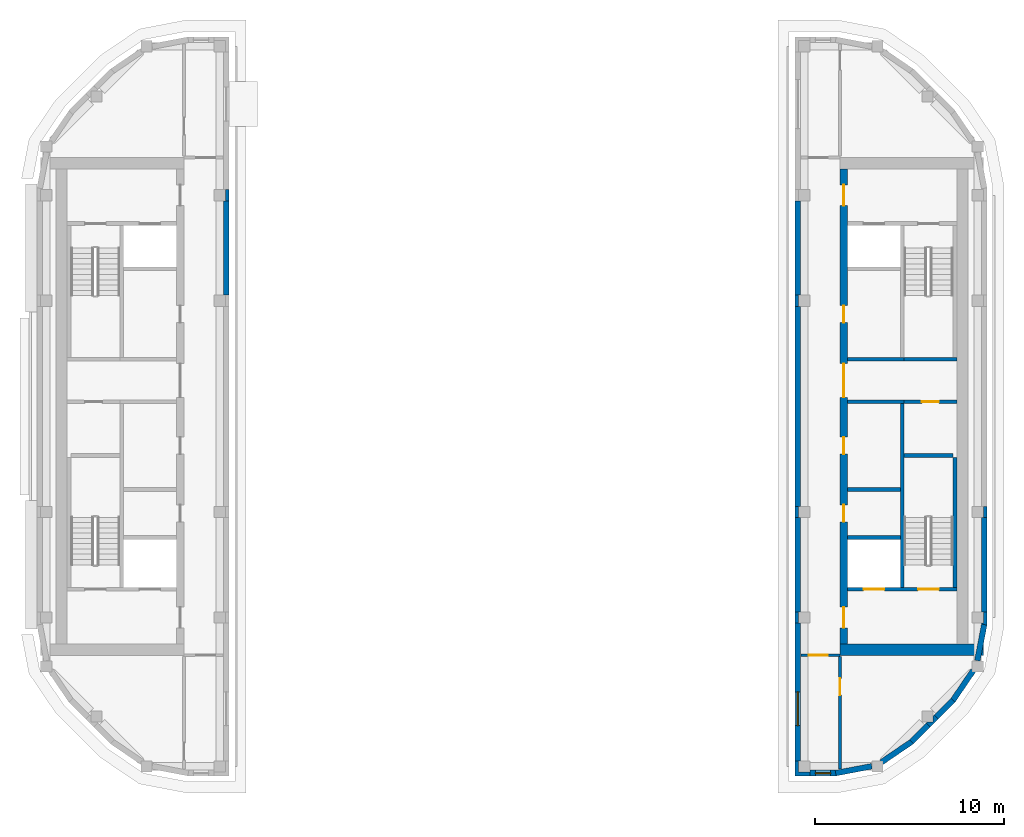
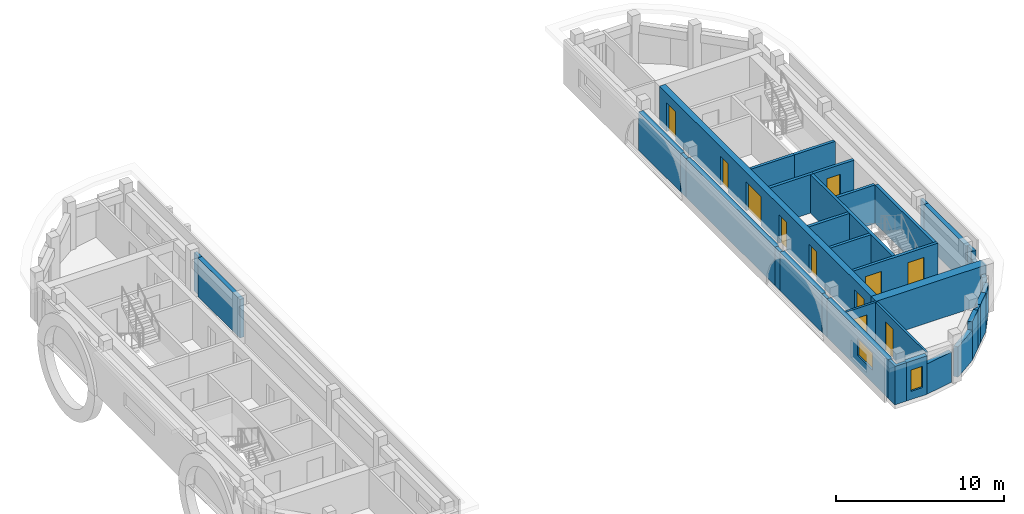
# One storey, part 3 of 12: 35 walls, 11 doors, 2 windows, 13 openings.
"""IFC4 building model written with IfcOpenShell, lengths in metres."""

from ifc_helpers import new_model, si_unit, direction, frame, frame_2d, origin, place, context, subcontext, project, spatial, polyline, rectangle, outline, extrude, material, layer, layer_set, type_object, element, fill, save


model = new_model("IFC4")

# Units and contexts
model_context = context("Model", 3, precision=1e-05, world=origin(), true_north=direction((0.0, 1.0)))
body_context = subcontext(model_context, "Body", "Model", "MODEL_VIEW")
ifc_project = project(units=[si_unit("LENGTHUNIT", "METRE"), si_unit("AREAUNIT", "SQUARE_METRE"), si_unit("VOLUMEUNIT", "CUBIC_METRE"), si_unit("PLANEANGLEUNIT", "RADIAN"), si_unit("MASSUNIT", "GRAM", prefix="KILO")], contexts=[model_context])

# Site, building, storey
site_placement = place(None, origin())
site = spatial("IfcSite", under=ifc_project, at=site_placement, CompositionType="ELEMENT")
building_placement = place(site_placement, origin())
building = spatial("IfcBuilding", under=site, at=building_placement, Name="Kiln Ring Residences", CompositionType="ELEMENT")
storey_placement = place(building_placement, frame((0.0, 0.0, 310.39990234375)))
storey = spatial("IfcBuildingStorey", under=building, at=storey_placement, Name="L80 Crown", CompositionType="ELEMENT", Elevation=310.39990234375)

# Wall, opening, door
ifc_material_1 = material(Name="Gypsum board on steel studs", Category="steel")
ifc_layer_1 = layer(ifc_material_1, 0.199951171875)
ifc_layer_set_1 = layer_set([ifc_layer_1], Name="CORE-PARTITION-200")
wall_type_1 = type_object("IfcWallType", Name="CORE-PARTITION-200", PredefinedType="PARTITIONING", material=ifc_layer_set_1)
wall_1_placement = place(storey_placement, frame((20.800048828125, 0.25, 0.0), z_axis=(0.0, 0.0, 1.0), x_axis=(1.0, 0.0, 0.0)))
wall_1 = element("IfcWall", 1, at=wall_1_placement, inside=storey, type_object=wall_type_1, Name="Core partition east L80 Crown 1", PredefinedType="PARTITIONING", context=body_context, shape_type="SweptSolid", body=[
    extrude(rectangle(XDim=2.800048828125, YDim=0.199951171875, at=frame_2d((1.39990234375, 0.0))), origin(), (0.0, 0.0, 1.0), 2.800048828125),
])
opening_1_placement = place(wall_1_placement, frame((0.949951171875, 0.0, 0.0)))
opening_1 = element("IfcOpeningElement", 2, at=opening_1_placement, cuts=wall_1, Name="Opening L80-CE11", PredefinedType="OPENING", context=body_context, shape_type="SweptSolid", body=[
    extrude(rectangle(XDim=0.89990234375, YDim=2.10009765625, at=frame_2d((0.449951171875, 1.050048828125))), frame((0.0, 0.10986328125, 0.0), z_axis=(0.0, -1.0, 0.0), x_axis=(1.0, 0.0, 0.0)), (0.0, 0.0, 1.0), 0.219970703125),
])
ifc_material_2 = material(Name="Steel door leaf", Category="steel")
door_type_1 = type_object("IfcDoorType", Name="CORE-DOOR-ROOM", OperationType="SINGLE_SWING_LEFT", PredefinedType="DOOR", material=ifc_material_2)
door_1_placement = place(opening_1_placement, origin())
door_1 = element("IfcDoor", 3, at=door_1_placement, inside=storey, type_object=door_type_1, Name="Electrical riser room L80-CE11", OperationType="SINGLE_SWING_RIGHT", OverallHeight=2.10009765625, OverallWidth=0.89990234375, PredefinedType="DOOR", context=body_context, shape_type="SweptSolid", body=[
    extrude(rectangle(XDim=0.89990234375, YDim=2.10009765625, at=frame_2d((0.449951171875, 1.050048828125))), frame((0.0, 0.02490234375, 0.0), z_axis=(0.0, -1.0, 0.0), x_axis=(1.0, 0.0, 0.0)), (0.0, 0.0, 1.0), 0.050048828125),
])
fill(opening_1, door_1)

# Walls
wall_2_placement = place(storey_placement, frame((17.800048828125, -4.39990234375, 0.0), z_axis=(0.0, 0.0, 1.0), x_axis=(1.0, 0.0, 0.0)))
element("IfcWall", 4, at=wall_2_placement, inside=storey, type_object=wall_type_1, Name="Core partition east L80 Crown 2", PredefinedType="PARTITIONING", context=body_context, shape_type="SweptSolid", body=[
    extrude(rectangle(XDim=2.800048828125, YDim=0.199951171875, at=frame_2d((1.39990234375, 0.0))), origin(), (0.0, 0.0, 1.0), 2.800048828125),
])
ifc_material_3 = material(Name="Gypsum shaft wall system")
ifc_layer_2 = layer(ifc_material_3, 0.199951171875)
ifc_layer_set_2 = layer_set([ifc_layer_2], Name="CORE-SHAFT-WALL-200")
wall_type_2 = type_object("IfcWallType", Name="CORE-SHAFT-WALL-200", PredefinedType="PARTITIONING", material=ifc_layer_set_2)
wall_3_placement = place(storey_placement, frame((17.800048828125, -6.949951171875, 0.0), z_axis=(0.0, 0.0, 1.0), x_axis=(1.0, 0.0, 0.0)))
element("IfcWall", 5, at=wall_3_placement, inside=storey, type_object=wall_type_2, Name="Core partition east L80 Crown 3", PredefinedType="PARTITIONING", context=body_context, shape_type="SweptSolid", body=[
    extrude(rectangle(XDim=2.800048828125, YDim=0.199951171875, at=frame_2d((1.39990234375, 0.0))), origin(), (0.0, 0.0, 1.0), 2.800048828125),
])
for number, where, z_axis, x_axis, name in (
    (6, (17.800048828125, 0.25, 0.0), (0.0, 0.0, 1.0), (1.0, 0.0, 0.0), "Core partition east L80 Crown 4"),
    (7, (17.800048828125, 2.5, 0.0), (0.0, 0.0, 1.0), (1.0, 0.0, 0.0), "Core partition east L80 Crown 5"),
):
    element("IfcWall", number, at=place(storey_placement, frame(where, z_axis=z_axis, x_axis=x_axis)), inside=storey, type_object=wall_type_2, Name=name, PredefinedType="PARTITIONING", context=body_context, shape_type="SweptSolid", body=[
        extrude(rectangle(XDim=3.0, YDim=0.199951171875, at=frame_2d((1.5, 0.0))), origin(), (0.0, 0.0, 1.0), 2.800048828125),
    ])
ifc_material_4 = material(Name="Concrete C40/50", Category="concrete")
ifc_layer_3 = layer(ifc_material_4, 0.199951171875)
ifc_layer_set_3 = layer_set([ifc_layer_3], Name="CORE-WALL-RC200")
wall_type_3 = type_object("IfcWallType", Name="CORE-WALL-RC200", PredefinedType="SHEAR", material=ifc_layer_set_3)
wall_4_placement = place(storey_placement, frame((20.699951171875, -9.60009765625, 0.0), z_axis=(0.0, 0.0, 1.0), x_axis=(0.0, 1.0, 0.0)))
element("IfcWall", 8, at=wall_4_placement, inside=storey, type_object=wall_type_3, Name="Core wall east L80 Crown 2", PredefinedType="SHEAR", context=body_context, shape_type="SweptSolid", body=[
    extrude(rectangle(XDim=9.75, YDim=0.199951171875, at=frame_2d((4.875, 0.0))), origin(), (0.0, 0.0, 1.0), 2.800048828125),
])
wall_5_placement = place(storey_placement, frame((20.800048828125, 2.5, 0.0), z_axis=(0.0, 0.0, 1.0), x_axis=(1.0, 0.0, 0.0)))
element("IfcWall", 9, at=wall_5_placement, inside=storey, type_object=wall_type_3, Name="Core wall east L80 Crown 3", PredefinedType="SHEAR", context=body_context, shape_type="SweptSolid", body=[
    extrude(rectangle(XDim=2.800048828125, YDim=0.199951171875, at=frame_2d((1.39990234375, 0.0))), origin(), (0.0, 0.0, 1.0), 2.800048828125),
])

# Wall, openings, doors
wall_6_placement = place(storey_placement, frame((17.800048828125, -9.699951171875, 0.0), z_axis=(0.0, 0.0, 1.0), x_axis=(1.0, 0.0, 0.0)))
wall_6 = element("IfcWall", 10, at=wall_6_placement, inside=storey, type_object=wall_type_3, Name="Core wall east L80 Crown 8", PredefinedType="SHEAR", context=body_context, shape_type="SweptSolid", body=[
    extrude(rectangle(XDim=5.800048828125, YDim=0.199951171875, at=frame_2d((2.89990234375, 0.0))), origin(), (0.0, 0.0, 1.0), 2.800048828125),
])
opening_2_placement = place(wall_6_placement, frame((0.85009765625, 0.0, 0.0)))
opening_2 = element("IfcOpeningElement", 11, at=opening_2_placement, cuts=wall_6, Name="Opening L80-CE01", PredefinedType="OPENING", context=body_context, shape_type="SweptSolid", body=[
    extrude(rectangle(XDim=1.10009765625, YDim=2.10009765625, at=frame_2d((0.550048828125, 1.050048828125))), frame((0.0, 0.10986328125, 0.0), z_axis=(0.0, -1.0, 0.0), x_axis=(1.0, 0.0, 0.0)), (0.0, 0.0, 1.0), 0.219970703125),
])
opening_3_placement = place(wall_6_placement, frame((3.75, 0.0, 0.0)))
opening_3 = element("IfcOpeningElement", 12, at=opening_3_placement, cuts=wall_6, Name="Opening L80-CE09", PredefinedType="OPENING", context=body_context, shape_type="SweptSolid", body=[
    extrude(rectangle(XDim=1.10009765625, YDim=2.10009765625, at=frame_2d((0.550048828125, 1.050048828125))), frame((0.0, 0.10986328125, 0.0), z_axis=(0.0, -1.0, 0.0), x_axis=(1.0, 0.0, 0.0)), (0.0, 0.0, 1.0), 0.219970703125),
])
ifc_material_5 = material(Name="Steel door leaf", Category="steel")
door_type_2 = type_object("IfcDoorType", Name="CORE-DOOR-LD", OperationType="DOUBLE_DOOR_SLIDING", PredefinedType="DOOR", material=ifc_material_5)
door_2_placement = place(opening_2_placement, origin())
door_2 = element("IfcDoor", 13, at=door_2_placement, inside=storey, type_object=door_type_2, Name="LD E-SV L80-CE01", OperationType="DOUBLE_DOOR_SLIDING", OverallHeight=2.10009765625, OverallWidth=1.10009765625, PredefinedType="DOOR", context=body_context, shape_type="SweptSolid", body=[
    extrude(rectangle(XDim=1.10009765625, YDim=2.10009765625, at=frame_2d((0.550048828125, 1.050048828125))), frame((0.0, 0.02490234375, 0.0), z_axis=(0.0, -1.0, 0.0), x_axis=(1.0, 0.0, 0.0)), (0.0, 0.0, 1.0), 0.050048828125),
])
fill(opening_2, door_2)
ifc_material_6 = material(Name="Steel door leaf", Category="steel")
door_type_3 = type_object("IfcDoorType", Name="CORE-DOOR-STAIR", OperationType="SINGLE_SWING_LEFT", PredefinedType="DOOR", material=ifc_material_6)
door_3_placement = place(opening_3_placement, origin())
door_3 = element("IfcDoor", 14, at=door_3_placement, inside=storey, type_object=door_type_3, Name="Stair E-STS L80-CE09", OperationType="SINGLE_SWING_LEFT", OverallHeight=2.10009765625, OverallWidth=1.10009765625, PredefinedType="DOOR", context=body_context, shape_type="SweptSolid", body=[
    extrude(rectangle(XDim=1.10009765625, YDim=2.10009765625, at=frame_2d((0.550048828125, 1.050048828125))), frame((0.0, 0.02490234375, 0.0), z_axis=(0.0, -1.0, 0.0), x_axis=(1.0, 0.0, 0.0)), (0.0, 0.0, 1.0), 0.050048828125),
])
fill(opening_3, door_3)

# Walls
wall_7_placement = place(storey_placement, frame((23.5, -9.60009765625, 0.0), z_axis=(0.0, 0.0, 1.0), x_axis=(0.0, 1.0, 0.0)))
element("IfcWall", 15, at=wall_7_placement, inside=storey, type_object=wall_type_3, Name="Core wall east L80 Crown 11", PredefinedType="SHEAR", context=body_context, shape_type="SweptSolid", body=[
    extrude(rectangle(XDim=6.900146484375, YDim=0.199951171875, at=frame_2d((3.4501953125, 0.0))), origin(), (0.0, 0.0, 1.0), 2.800048828125),
])
wall_8_placement = place(storey_placement, frame((20.800048828125, -2.60009765625, 0.0), z_axis=(0.0, 0.0, 1.0), x_axis=(1.0, 0.0, 0.0)))
element("IfcWall", 16, at=wall_8_placement, inside=storey, type_object=wall_type_3, Name="Core wall east L80 Crown 12", PredefinedType="SHEAR", context=body_context, shape_type="SweptSolid", body=[
    extrude(rectangle(XDim=2.599853515625, YDim=0.199951171875, at=frame_2d((1.2998046875, 0.0))), origin(), (0.0, 0.0, 1.0), 2.800048828125),
])

# Wall, openings, doors
ifc_material_7 = material(Name="Concrete C60/75", Category="concrete")
ifc_layer_4 = layer(ifc_material_7, 0.39990234375)
ifc_layer_set_4 = layer_set([ifc_layer_4], Name="CORE-WALL-RC400")
wall_type_4 = type_object("IfcWallType", Name="CORE-WALL-RC400", PredefinedType="SHEAR", material=ifc_layer_set_4)
wall_9_placement = place(storey_placement, frame((17.60009765625, -12.60009765625, 0.0), z_axis=(0.0, 0.0, 1.0), x_axis=(0.0, 1.0, 0.0)))
wall_9 = element("IfcWall", 17, at=wall_9_placement, inside=storey, type_object=wall_type_4, Name="Core wall east L80 Crown 6", PredefinedType="SHEAR", context=body_context, shape_type="SweptSolid", body=[
    extrude(rectangle(XDim=25.2001953125, YDim=0.39990234375, at=frame_2d((12.60009765625, 0.0))), origin(), (0.0, 0.0, 1.0), 2.800048828125),
])
opening_4_placement = place(wall_9_placement, frame((6.47509765625, 0.0, 0.0)))
opening_4 = element("IfcOpeningElement", 18, at=opening_4_placement, cuts=wall_9, Name="Opening L80-CE02", PredefinedType="OPENING", context=body_context, shape_type="SweptSolid", body=[
    extrude(rectangle(XDim=0.89990234375, YDim=2.10009765625, at=frame_2d((0.449951171875, 1.050048828125))), frame((0.0, 0.2099609375, 0.0), z_axis=(0.0, -1.0, 0.0), x_axis=(1.0, 0.0, 0.0)), (0.0, 0.0, 1.0), 0.419921875),
])
opening_5_placement = place(wall_9_placement, frame((10.074951171875, 0.0, 0.0)))
opening_5 = element("IfcOpeningElement", 19, at=opening_5_placement, cuts=wall_9, Name="Opening L80-CE03", PredefinedType="OPENING", context=body_context, shape_type="SweptSolid", body=[
    extrude(rectangle(XDim=0.89990234375, YDim=2.10009765625, at=frame_2d((0.449951171875, 1.050048828125))), frame((0.0, 0.2099609375, 0.0), z_axis=(0.0, -1.0, 0.0), x_axis=(1.0, 0.0, 0.0)), (0.0, 0.0, 1.0), 0.419921875),
])
opening_6_placement = place(wall_9_placement, frame((17.050048828125, 0.0, 0.0)))
opening_6 = element("IfcOpeningElement", 20, at=opening_6_placement, cuts=wall_9, Name="Opening L80-CE04", PredefinedType="OPENING", context=body_context, shape_type="SweptSolid", body=[
    extrude(rectangle(XDim=0.89990234375, YDim=2.10009765625, at=frame_2d((0.449951171875, 1.050048828125))), frame((0.0, 0.2099609375, 0.0), z_axis=(0.0, -1.0, 0.0), x_axis=(1.0, 0.0, 0.0)), (0.0, 0.0, 1.0), 0.419921875),
])
opening_7_placement = place(wall_9_placement, frame((23.25, 0.0, 0.0)))
opening_7 = element("IfcOpeningElement", 21, at=opening_7_placement, cuts=wall_9, Name="Opening L80-CE06", PredefinedType="OPENING", context=body_context, shape_type="SweptSolid", body=[
    extrude(rectangle(XDim=1.10009765625, YDim=2.10009765625, at=frame_2d((0.550048828125, 1.050048828125))), frame((0.0, 0.2099609375, 0.0), z_axis=(0.0, -1.0, 0.0), x_axis=(1.0, 0.0, 0.0)), (0.0, 0.0, 1.0), 0.419921875),
])
opening_8_placement = place(wall_9_placement, frame((0.85009765625, 0.0, 0.0)))
opening_8 = element("IfcOpeningElement", 22, at=opening_8_placement, cuts=wall_9, Name="Opening L80-CE07", PredefinedType="OPENING", context=body_context, shape_type="SweptSolid", body=[
    extrude(rectangle(XDim=1.10009765625, YDim=2.10009765625, at=frame_2d((0.550048828125, 1.050048828125))), frame((0.0, 0.2099609375, 0.0), z_axis=(0.0, -1.0, 0.0), x_axis=(1.0, 0.0, 0.0)), (0.0, 0.0, 1.0), 0.419921875),
])
opening_9_placement = place(wall_9_placement, frame((13.074951171875, 0.0, 0.0)))
opening_9 = element("IfcOpeningElement", 23, at=opening_9_placement, cuts=wall_9, Name="Opening L80-CE10", PredefinedType="OPENING", context=body_context, shape_type="SweptSolid", body=[
    extrude(rectangle(XDim=1.800048828125, YDim=2.10009765625, at=frame_2d((0.89990234375, 1.050048828125))), frame((0.0, 0.2099609375, 0.0), z_axis=(0.0, -1.0, 0.0), x_axis=(1.0, 0.0, 0.0)), (0.0, 0.0, 1.0), 0.419921875),
])
ifc_material_8 = material(Name="Steel door leaf", Category="steel")
door_type_4 = type_object("IfcDoorType", Name="CORE-DOOR-LOBBY", OperationType="SINGLE_SWING_LEFT", PredefinedType="DOOR", material=ifc_material_8)
door_4_placement = place(opening_7_placement, origin())
door_4 = element("IfcDoor", 24, at=door_4_placement, inside=storey, type_object=door_type_4, Name="FFL L80-CE06", OperationType="SINGLE_SWING_RIGHT", OverallHeight=2.10009765625, OverallWidth=1.10009765625, PredefinedType="DOOR", context=body_context, shape_type="SweptSolid", body=[
    extrude(rectangle(XDim=1.10009765625, YDim=2.10009765625, at=frame_2d((0.550048828125, 1.050048828125))), frame((0.0, 0.02490234375, 0.0), z_axis=(0.0, -1.0, 0.0), x_axis=(1.0, 0.0, 0.0)), (0.0, 0.0, 1.0), 0.050048828125),
])
fill(opening_7, door_4)
door_5_placement = place(opening_8_placement, origin())
door_5 = element("IfcDoor", 25, at=door_5_placement, inside=storey, type_object=door_type_4, Name="SVL L80-CE07", OperationType="SINGLE_SWING_LEFT", OverallHeight=2.10009765625, OverallWidth=1.10009765625, PredefinedType="DOOR", context=body_context, shape_type="SweptSolid", body=[
    extrude(rectangle(XDim=1.10009765625, YDim=2.10009765625, at=frame_2d((0.550048828125, 1.050048828125))), frame((0.0, 0.02490234375, 0.0), z_axis=(0.0, -1.0, 0.0), x_axis=(1.0, 0.0, 0.0)), (0.0, 0.0, 1.0), 0.050048828125),
])
fill(opening_8, door_5)
ifc_material_9 = material(Name="Steel door leaf", Category="steel")
door_type_5 = type_object("IfcDoorType", Name="CORE-DOOR-PASS", OperationType="DOUBLE_DOOR_SINGLE_SWING", PredefinedType="DOOR", material=ifc_material_9)
door_6_placement = place(opening_9_placement, origin())
door_6 = element("IfcDoor", 26, at=door_6_placement, inside=storey, type_object=door_type_5, Name="Core passage L80-CE10", OperationType="DOUBLE_DOOR_SINGLE_SWING", OverallHeight=2.10009765625, OverallWidth=1.800048828125, PredefinedType="DOOR", context=body_context, shape_type="SweptSolid", body=[
    extrude(rectangle(XDim=1.800048828125, YDim=2.10009765625, at=frame_2d((0.89990234375, 1.050048828125))), frame((0.0, 0.02490234375, 0.0), z_axis=(0.0, -1.0, 0.0), x_axis=(1.0, 0.0, 0.0)), (0.0, 0.0, 1.0), 0.050048828125),
])
fill(opening_9, door_6)
door_7_placement = place(opening_4_placement, origin())
door_7 = element("IfcDoor", 27, at=door_7_placement, inside=storey, type_object=door_type_1, Name="Goods store L80-CE02", OperationType="SINGLE_SWING_LEFT", OverallHeight=2.10009765625, OverallWidth=0.89990234375, PredefinedType="DOOR", context=body_context, shape_type="SweptSolid", body=[
    extrude(rectangle(XDim=0.89990234375, YDim=2.10009765625, at=frame_2d((0.449951171875, 1.050048828125))), frame((0.0, 0.02490234375, 0.0), z_axis=(0.0, -1.0, 0.0), x_axis=(1.0, 0.0, 0.0)), (0.0, 0.0, 1.0), 0.050048828125),
])
fill(opening_4, door_7)
door_8_placement = place(opening_5_placement, origin())
door_8 = element("IfcDoor", 28, at=door_8_placement, inside=storey, type_object=door_type_1, Name="Storage room L80-CE03", OperationType="SINGLE_SWING_RIGHT", OverallHeight=2.10009765625, OverallWidth=0.89990234375, PredefinedType="DOOR", context=body_context, shape_type="SweptSolid", body=[
    extrude(rectangle(XDim=0.89990234375, YDim=2.10009765625, at=frame_2d((0.449951171875, 1.050048828125))), frame((0.0, 0.02490234375, 0.0), z_axis=(0.0, -1.0, 0.0), x_axis=(1.0, 0.0, 0.0)), (0.0, 0.0, 1.0), 0.050048828125),
])
fill(opening_5, door_8)
door_9_placement = place(opening_6_placement, origin())
door_9 = element("IfcDoor", 29, at=door_9_placement, inside=storey, type_object=door_type_1, Name="Housekeeping store L80-CE04", OperationType="SINGLE_SWING_LEFT", OverallHeight=2.10009765625, OverallWidth=0.89990234375, PredefinedType="DOOR", context=body_context, shape_type="SweptSolid", body=[
    extrude(rectangle(XDim=0.89990234375, YDim=2.10009765625, at=frame_2d((0.449951171875, 1.050048828125))), frame((0.0, 0.02490234375, 0.0), z_axis=(0.0, -1.0, 0.0), x_axis=(1.0, 0.0, 0.0)), (0.0, 0.0, 1.0), 0.050048828125),
])
fill(opening_6, door_9)

# Walls
ifc_material_10 = material(Name="Concrete C60/75", Category="concrete")
ifc_layer_5 = layer(ifc_material_10, 0.60009765625)
ifc_layer_set_5 = layer_set([ifc_layer_5], Name="CORE-WALL-RC600")
wall_type_5 = type_object("IfcWallType", Name="CORE-WALL-RC600", PredefinedType="SHEAR", material=ifc_layer_set_5)
wall_10_placement = place(storey_placement, frame((17.39990234375, -12.89990234375, 0.0), z_axis=(0.0, 0.0, 1.0), x_axis=(1.0, 0.0, 0.0)))
element("IfcWall", 30, at=wall_10_placement, inside=storey, type_object=wall_type_5, Name="Core wall east L80 Crown 5", PredefinedType="SHEAR", context=body_context, shape_type="SweptSolid", body=[
    extrude(rectangle(XDim=7.60009765625, YDim=0.60009765625, at=frame_2d((3.800048828125, 0.0))), origin(), (0.0, 0.0, 1.0), 2.800048828125),
])
ifc_material_11 = material(Name="Brick masonry, dark clay brick", Category="masonry")
ifc_layer_6 = layer(ifc_material_11, 0.300048828125)
ifc_layer_set_6 = layer_set([ifc_layer_6], Name="EW-300 BRICK WALL")
wall_type_6 = type_object("IfcWallType", Name="EW-300 BRICK WALL", PredefinedType="SOLIDWALL", material=ifc_layer_set_6)
for number, where, z_axis, x_axis, name in (
    (31, (-15.14990234375, 5.89990234375, 0.0), (0.0, 0.0, 1.0), (0.0, 1.0, 0.0), "Facade wall L80 Crown 7"),
    (32, (15.14990234375, 10.89990234375, 0.0), (0.0, 0.0, 1.0), (0.0, -1.0, 0.0), "Facade wall L80 Crown 24"),
):
    element("IfcWall", number, at=place(storey_placement, frame(where, z_axis=z_axis, x_axis=x_axis)), inside=storey, type_object=wall_type_6, Name=name, PredefinedType="SOLIDWALL", context=body_context, shape_type="SweptSolid", body=[
        extrude(rectangle(XDim=5.0, YDim=0.300048828125, at=frame_2d((2.5, 0.0))), origin(), (0.0, 0.0, 1.0), 2.800048828125),
    ])
wall_11_placement = place(storey_placement, frame((15.14990234375, 5.300048828125, 0.0), z_axis=(0.0, 0.0, 1.0), x_axis=(0.0, -1.0, 0.0)))
element("IfcWall", 33, at=wall_11_placement, inside=storey, type_object=wall_type_6, Name="Facade wall L80 Crown 25", PredefinedType="SOLIDWALL", context=body_context, shape_type="SweptSolid", body=[
    extrude(rectangle(XDim=10.60009765625, YDim=0.300048828125, at=frame_2d((5.300048828125, 0.0))), origin(), (0.0, 0.0, 1.0), 2.800048828125),
])
wall_12_placement = place(storey_placement, frame((15.14990234375, -5.89990234375, 0.0), z_axis=(0.0, 0.0, 1.0), x_axis=(0.0, -1.0, 0.0)))
element("IfcWall", 34, at=wall_12_placement, inside=storey, type_object=wall_type_6, Name="Facade wall L80 Crown 26", PredefinedType="SOLIDWALL", context=body_context, shape_type="SweptSolid", body=[
    extrude(rectangle(XDim=5.0, YDim=0.300048828125, at=frame_2d((2.5, 0.0))), origin(), (0.0, 0.0, 1.0), 2.800048828125),
])

# Wall, opening, window
wall_13_placement = place(storey_placement, frame((15.14990234375, -11.5, 0.0), z_axis=(0.0, 0.0, 1.0), x_axis=(0.0, -1.0, 0.0)))
wall_13 = element("IfcWall", 35, at=wall_13_placement, inside=storey, type_object=wall_type_6, Name="Facade wall L80 Crown 27", PredefinedType="SOLIDWALL", context=body_context, shape_type="SweptSolid", body=[
    extrude(rectangle(XDim=7.300048828125, YDim=0.300048828125, at=frame_2d((3.64990234375, 0.0))), origin(), (0.0, 0.0, 1.0), 2.800048828125),
])
opening_10_placement = place(wall_13_placement, frame((3.637451171875, 0.0, 0.89990234375)))
opening_10 = element("IfcOpeningElement", 36, at=opening_10_placement, cuts=wall_13, Name="Opening W2", PredefinedType="OPENING", context=body_context, shape_type="SweptSolid", body=[
    extrude(rectangle(XDim=1.800048828125, YDim=1.25, at=frame_2d((0.89990234375, 0.625))), frame((0.0, 0.159912109375, 0.0), z_axis=(0.0, -1.0, 0.0), x_axis=(1.0, 0.0, 0.0)), (0.0, 0.0, 1.0), 0.320068359375),
])
ifc_material_12 = material(Name="Aluminium frame with double glazing", Category="aluminium")
window_type_1 = type_object("IfcWindowType", Name="WINDOW 1800 x 1250", PartitioningType="SINGLE_PANEL", PredefinedType="WINDOW", material=ifc_material_12)
window_1_placement = place(opening_10_placement, origin())
window_1 = element("IfcWindow", 37, at=window_1_placement, inside=storey, type_object=window_type_1, Name="Window L80 Crown 6", OverallHeight=1.25, OverallWidth=1.800048828125, PartitioningType="SINGLE_PANEL", PredefinedType="WINDOW", context=body_context, shape_type="SweptSolid", body=[
    extrude(rectangle(XDim=1.800048828125, YDim=1.25, at=frame_2d((0.89990234375, 0.625))), frame((0.0, 0.030029296875, 0.0), z_axis=(0.0, -1.0, 0.0), x_axis=(1.0, 0.0, 0.0)), (0.0, 0.0, 1.0), 0.06005859375),
])
fill(opening_10, window_1)

wall_14_placement = place(storey_placement, frame((15.800048828125, -19.449951171875, 0.0), z_axis=(0.0, 0.0, 1.0), x_axis=(1.0, 0.0, 0.0)))
wall_14 = element("IfcWall", 38, at=wall_14_placement, inside=storey, type_object=wall_type_6, Name="Facade wall L80 Crown 28", PredefinedType="SOLIDWALL", context=body_context, shape_type="SweptSolid", body=[
    extrude(rectangle(XDim=1.39990234375, YDim=0.300048828125, at=frame_2d((0.699951171875, 0.0))), origin(), (0.0, 0.0, 1.0), 2.800048828125),
])
opening_11_placement = place(wall_14_placement, frame((0.300048828125, 0.0, 0.60009765625)))
opening_11 = element("IfcOpeningElement", 39, at=opening_11_placement, cuts=wall_14, Name="Opening W5", PredefinedType="OPENING", context=body_context, shape_type="SweptSolid", body=[
    extrude(rectangle(XDim=0.800048828125, YDim=1.550048828125, at=frame_2d((0.39990234375, 0.77490234375))), frame((0.0, 0.159912109375, 0.0), z_axis=(0.0, -1.0, 0.0), x_axis=(1.0, 0.0, 0.0)), (0.0, 0.0, 1.0), 0.320068359375),
])
ifc_material_13 = material(Name="Aluminium frame with double glazing", Category="aluminium")
window_type_2 = type_object("IfcWindowType", Name="WINDOW 800 x 1550", PartitioningType="SINGLE_PANEL", PredefinedType="WINDOW", material=ifc_material_13)
window_2_placement = place(opening_11_placement, origin())
window_2 = element("IfcWindow", 40, at=window_2_placement, inside=storey, type_object=window_type_2, Name="Window L80 Crown 7", OverallHeight=1.550048828125, OverallWidth=0.800048828125, PartitioningType="SINGLE_PANEL", PredefinedType="WINDOW", context=body_context, shape_type="SweptSolid", body=[
    extrude(rectangle(XDim=0.800048828125, YDim=1.550048828125, at=frame_2d((0.39990234375, 0.77490234375))), frame((0.0, 0.030029296875, 0.0), z_axis=(0.0, -1.0, 0.0), x_axis=(1.0, 0.0, 0.0)), (0.0, 0.0, 1.0), 0.06005859375),
])
fill(opening_11, window_2)

# Walls
for number, where, z_axis, x_axis, name in (
    (41, (17.171875, -19.45263671875, 0.0), (0.0, 0.0, 1.0), (0.982286967073, 0.187382801553, 0.0), "Facade wall L80 Crown 29"),
    (42, (19.601806640625, -18.873779296875, 0.0), (0.0, 0.0, 1.0), (0.827022075481, 0.562169446579, 0.0), "Facade wall L80 Crown 30"),
):
    element("IfcWall", number, at=place(storey_placement, frame(where, z_axis=z_axis, x_axis=x_axis)), inside=storey, type_object=wall_type_6, Name=name, PredefinedType="SOLIDWALL", context=body_context, shape_type="SweptSolid", body=[
        extrude(rectangle(XDim=1.94775390625, YDim=0.300048828125, at=frame_2d((0.973876953125, 0.0))), origin(), (0.0, 0.0, 1.0), 2.2001953125),
    ])
for number, where, z_axis, x_axis, name in (
    (43, (21.19091796875, -17.796875, 0.0), (0.0, 0.0, 1.0), (0.707106781187, 0.707106781187, 0.0), "Facade wall L80 Crown 31"),
    (44, (22.506103515625, -16.481689453125, 0.0), (0.0, 0.0, 1.0), (0.707203678312, 0.707009870781, 0.0), "Facade wall L80 Crown 32"),
):
    element("IfcWall", number, at=place(storey_placement, frame(where, z_axis=z_axis, x_axis=x_axis)), inside=storey, type_object=wall_type_6, Name=name, PredefinedType="SOLIDWALL", context=body_context, shape_type="SweptSolid", body=[
        extrude(rectangle(XDim=1.259765625, YDim=0.300048828125, at=frame_2d((0.6298828125, 0.0))), origin(), (0.0, 0.0, 1.0), 2.800048828125),
    ])
wall_15_placement = place(storey_placement, frame((23.37890625, -15.61279296875, 0.0), z_axis=(0.0, 0.0, 1.0), x_axis=(0.562025435703, 0.827119948752, 0.0)))
element("IfcWall", 45, at=wall_15_placement, inside=storey, type_object=wall_type_6, Name="Facade wall L80 Crown 33", PredefinedType="SOLIDWALL", context=body_context, shape_type="SweptSolid", body=[
    extrude(rectangle(XDim=1.94775390625, YDim=0.300048828125, at=frame_2d((0.973876953125, 0.0))), origin(), (0.0, 0.0, 1.0), 2.2001953125),
])
wall_16_placement = place(storey_placement, frame((24.687744140625, -13.485107421875, 0.0), z_axis=(0.0, 0.0, 1.0), x_axis=(0.187354129902, 0.982292436095, 0.0)))
element("IfcWall", 46, at=wall_16_placement, inside=storey, type_object=wall_type_6, Name="Facade wall L80 Crown 34", PredefinedType="SOLIDWALL", context=body_context, shape_type="SweptSolid", body=[
    extrude(rectangle(XDim=1.94677734375, YDim=0.300048828125, at=frame_2d((0.973388671875, 0.0))), origin(), (0.0, 0.0, 1.0), 2.2001953125),
])
wall_17_placement = place(storey_placement, frame((25.050048828125, -10.89990234375, 0.0), z_axis=(0.0, 0.0, 1.0), x_axis=(0.0, 1.0, 0.0)))
element("IfcWall", 47, at=wall_17_placement, inside=storey, type_object=wall_type_6, Name="Facade wall L80 Crown 35", PredefinedType="SOLIDWALL", context=body_context, shape_type="SweptSolid", body=[
    extrude(rectangle(XDim=5.0, YDim=0.300048828125, at=frame_2d((2.5, 0.0))), origin(), (0.0, 0.0, 1.0), 2.800048828125),
])
placement = place(storey_placement, origin())
element("IfcWall", 48, at=placement, inside=storey, type_object=wall_type_6, Name="Corner wall L80 Crown 7", PredefinedType="SOLIDWALL", context=body_context, shape_type="SweptSolid", body=[
    extrude(outline(polyline([(-15.199951171875, 10.89990234375), (-15.0, 10.89990234375), (-15.0, 11.5), (-15.199951171875, 11.5), (-15.199951171875, 10.89990234375)])), origin(), (0.0, 0.0, 1.0), 2.800048828125),
])
element("IfcWall", 49, at=placement, inside=storey, type_object=wall_type_6, Name="Corner wall L80 Crown 16", PredefinedType="SOLIDWALL", context=body_context, shape_type="SweptSolid", body=[
    extrude(outline(polyline([(25.0, -5.89990234375), (25.199951171875, -5.89990234375), (25.199951171875, -5.300048828125), (25.0, -5.300048828125), (25.0, -5.89990234375)])), origin(), (0.0, 0.0, 1.0), 2.800048828125),
])
element("IfcWall", 50, at=placement, inside=storey, type_object=wall_type_6, Name="Corner wall L80 Crown 17", PredefinedType="SOLIDWALL", context=body_context, shape_type="SweptSolid", body=[
    extrude(outline(polyline([(25.199951171875, -11.600830078125), (25.199951171875, -10.89990234375), (25.0, -10.89990234375), (25.0, -11.5), (24.89990234375, -11.5), (24.89990234375, -11.56103515625), (24.9033203125, -11.544189453125), (25.199951171875, -11.600830078125)])), origin(), (0.0, 0.0, 1.0), 2.800048828125),
])
element("IfcWall", 51, at=placement, inside=storey, type_object=wall_type_6, Name="Corner wall L80 Crown 18", PredefinedType="SOLIDWALL", context=body_context, shape_type="SweptSolid", body=[
    extrude(outline(polyline([(21.9755859375, -16.800048828125), (22.18798828125, -17.01220703125), (22.612060546875, -16.587890625), (22.39990234375, -16.375732421875), (22.346435546875, -16.42919921875), (22.346435546875, -16.746337890625), (22.029296875, -16.746337890625), (21.9755859375, -16.800048828125)])), origin(), (0.0, 0.0, 1.0), 2.800048828125),
])
element("IfcWall", 52, at=placement, inside=storey, type_object=wall_type_6, Name="Corner wall L80 Crown 19", PredefinedType="SOLIDWALL", context=body_context, shape_type="SweptSolid", body=[
    extrude(outline(polyline([(15.0, -18.800048828125), (15.0, -19.60009765625), (15.800048828125, -19.60009765625), (15.800048828125, -19.39990234375), (15.199951171875, -19.39990234375), (15.199951171875, -18.800048828125), (15.0, -18.800048828125)])), origin(), (0.0, 0.0, 1.0), 2.800048828125),
])
element("IfcWall", 53, at=placement, inside=storey, type_object=wall_type_6, Name="Corner wall L80 Crown 20", PredefinedType="SOLIDWALL", context=body_context, shape_type="SweptSolid", body=[
    extrude(outline(polyline([(15.199951171875, -10.89990234375), (15.0, -10.89990234375), (15.0, -11.5), (15.199951171875, -11.5), (15.199951171875, -10.89990234375)])), origin(), (0.0, 0.0, 1.0), 2.800048828125),
])
element("IfcWall", 54, at=placement, inside=storey, type_object=wall_type_6, Name="Corner wall L80 Crown 21", PredefinedType="SOLIDWALL", context=body_context, shape_type="SweptSolid", body=[
    extrude(outline(polyline([(15.199951171875, -5.300048828125), (15.0, -5.300048828125), (15.0, -5.89990234375), (15.300048828125, -5.89990234375), (15.199951171875, -5.89990234375), (15.199951171875, -5.300048828125)])), origin(), (0.0, 0.0, 1.0), 2.800048828125),
])
element("IfcWall", 55, at=placement, inside=storey, type_object=wall_type_6, Name="Corner wall L80 Crown 22", PredefinedType="SOLIDWALL", context=body_context, shape_type="SweptSolid", body=[
    extrude(outline(polyline([(15.300048828125, 5.89990234375), (15.0, 5.89990234375), (15.0, 5.300048828125), (15.300048828125, 5.300048828125), (15.199951171875, 5.300048828125), (15.199951171875, 5.89990234375), (15.300048828125, 5.89990234375)])), origin(), (0.0, 0.0, 1.0), 2.800048828125),
])

# Wall, opening, door
ifc_material_14 = material(Name="Brick masonry partition", Category="masonry")
ifc_layer_7 = layer(ifc_material_14, 0.14990234375)
ifc_layer_set_7 = layer_set([ifc_layer_7], Name="PARTITION-150-ei60")
wall_type_7 = type_object("IfcWallType", Name="PARTITION-150-ei60", PredefinedType="PARTITIONING", material=ifc_layer_set_7)
wall_26_placement = place(storey_placement, frame((15.320068359375, -13.199951171875, 0.0), z_axis=(0.0, 0.0, 1.0), x_axis=(1.0, 0.0, 0.0)))
wall_26 = element("IfcWall", 56, at=wall_26_placement, inside=storey, type_object=wall_type_7, Name="Partition 001", PredefinedType="PARTITIONING", context=body_context, shape_type="SweptSolid", body=[
    extrude(rectangle(XDim=2.0849609375, YDim=0.14990234375, at=frame_2d((1.04248046875, 0.0))), origin(), (0.0, 0.0, 1.0), 2.800048828125),
])
opening_12_placement = place(wall_26_placement, frame((0.419921875, 0.0, 0.0)))
opening_12 = element("IfcOpeningElement", 57, at=opening_12_placement, cuts=wall_26, Name="Opening L80-D007", PredefinedType="OPENING", context=body_context, shape_type="SweptSolid", body=[
    extrude(rectangle(XDim=1.0, YDim=2.10009765625, at=frame_2d((0.5, 1.050048828125))), frame((0.0, 0.0849609375, 0.0), z_axis=(0.0, -1.0, 0.0), x_axis=(1.0, 0.0, 0.0)), (0.0, 0.0, 1.0), 0.169921875),
])
ifc_material_15 = material(Name="Steel faced fire door leaf", Category="steel")
door_type_6 = type_object("IfcDoorType", Name="FLAT-DOOR-1000-FR", OperationType="SINGLE_SWING_LEFT", PredefinedType="DOOR", material=ifc_material_15)
door_10_placement = place(opening_12_placement, origin())
door_10 = element("IfcDoor", 58, at=door_10_placement, inside=storey, type_object=door_type_6, Name="Door L80-D007", OperationType="SINGLE_SWING_RIGHT", OverallHeight=2.10009765625, OverallWidth=1.0, PredefinedType="DOOR", context=body_context, shape_type="SweptSolid", body=[
    extrude(rectangle(XDim=1.0, YDim=2.10009765625, at=frame_2d((0.5, 1.050048828125))), frame((0.0, 0.02490234375, 0.0), z_axis=(0.0, -1.0, 0.0), x_axis=(1.0, 0.0, 0.0)), (0.0, 0.0, 1.0), 0.050048828125),
])
fill(opening_12, door_10)

wall_27_placement = place(storey_placement, frame((17.39990234375, -19.236328125, 0.0), z_axis=(0.0, 0.0, 1.0), x_axis=(0.0, 1.0, 0.0)))
wall_27 = element("IfcWall", 59, at=wall_27_placement, inside=storey, type_object=wall_type_7, Name="Partition 006", PredefinedType="PARTITIONING", context=body_context, shape_type="SweptSolid", body=[
    extrude(rectangle(XDim=5.96142578125, YDim=0.14990234375, at=frame_2d((2.980712890625, 0.0))), origin(), (0.0, 0.0, 1.0), 2.800048828125),
])
opening_13_placement = place(wall_27_placement, frame((3.91650390625, 0.0, 0.0)))
opening_13 = element("IfcOpeningElement", 60, at=opening_13_placement, cuts=wall_27, Name="Opening L80-D008", PredefinedType="OPENING", context=body_context, shape_type="SweptSolid", body=[
    extrude(rectangle(XDim=0.89990234375, YDim=2.10009765625, at=frame_2d((0.449951171875, 1.050048828125))), frame((0.0, 0.0849609375, 0.0), z_axis=(0.0, -1.0, 0.0), x_axis=(1.0, 0.0, 0.0)), (0.0, 0.0, 1.0), 0.169921875),
])
ifc_material_16 = material(Name="Steel faced fire door leaf", Category="steel")
door_type_7 = type_object("IfcDoorType", Name="FLAT-DOOR-900-FR", OperationType="SINGLE_SWING_LEFT", PredefinedType="DOOR", material=ifc_material_16)
door_11_placement = place(opening_13_placement, origin())
door_11 = element("IfcDoor", 61, at=door_11_placement, inside=storey, type_object=door_type_7, Name="Door L80-D008", OperationType="SINGLE_SWING_RIGHT", OverallHeight=2.10009765625, OverallWidth=0.89990234375, PredefinedType="DOOR", context=body_context, shape_type="SweptSolid", body=[
    extrude(rectangle(XDim=0.89990234375, YDim=2.10009765625, at=frame_2d((0.449951171875, 1.050048828125))), frame((0.0, 0.02490234375, 0.0), z_axis=(0.0, -1.0, 0.0), x_axis=(1.0, 0.0, 0.0)), (0.0, 0.0, 1.0), 0.050048828125),
])
fill(opening_13, door_11)

save(model, "model.ifc")
